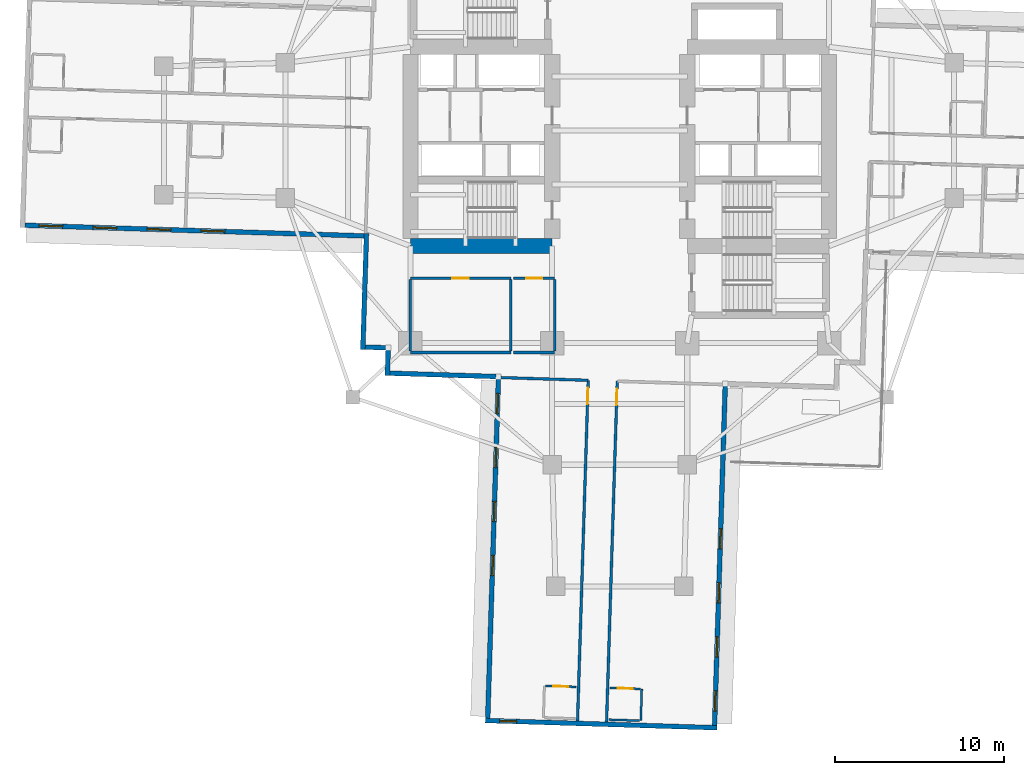
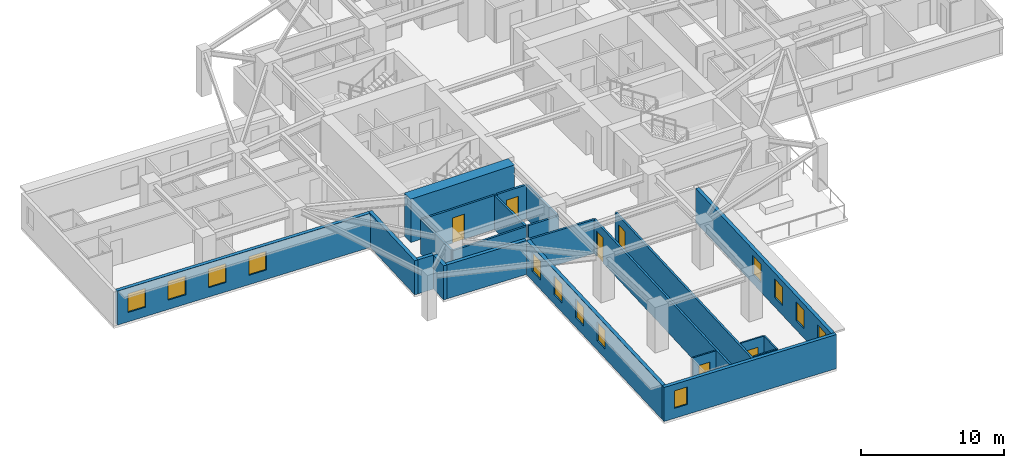
# One storey, part 3 of 13: 23 walls, 13 windows, 6 doors, 19 openings.
"""IFC4 building model written with IfcOpenShell, lengths in metres."""

from ifc_helpers import new_model, si_unit, direction, frame, frame_2d, origin, place, context, subcontext, project, spatial, rectangle, extrude, material, layer, layer_set, type_object, element, fill, save


model = new_model("IFC4")

# Units and contexts
model_context = context("Model", 3, precision=1e-05, world=origin(), true_north=direction((0.0, 1.0)))
body_context = subcontext(model_context, "Body", "Model", "MODEL_VIEW")
ifc_project = project(units=[si_unit("LENGTHUNIT", "METRE"), si_unit("AREAUNIT", "SQUARE_METRE"), si_unit("VOLUMEUNIT", "CUBIC_METRE"), si_unit("PLANEANGLEUNIT", "RADIAN"), si_unit("MASSUNIT", "GRAM", prefix="KILO")], contexts=[model_context])

# Site, building, storey
site_placement = place(None, origin())
site = spatial("IfcSite", under=ifc_project, at=site_placement, CompositionType="ELEMENT")
building_placement = place(site_placement, origin())
building = spatial("IfcBuilding", under=site, at=building_placement, Name="Qingluan Cross Belvedere", CompositionType="ELEMENT")
storey_placement = place(building_placement, frame((0.0, 0.0, 71.699951171875)))
storey = spatial("IfcBuildingStorey", under=building, at=storey_placement, Name="L18", CompositionType="ELEMENT", Elevation=71.699951171875)

# Walls
ifc_material_1 = material(Name="Concrete C70", Category="concrete")
ifc_layer_1 = layer(ifc_material_1, 0.89990234375, Name="CoreShearWall_900")
ifc_layer_set_1 = layer_set([ifc_layer_1], Name="Concrete C70")
wall_type_1 = type_object("IfcWallType", Name="CoreShearWall_900", PredefinedType="SHEAR", material=ifc_layer_set_1)
wall_1_placement = place(storey_placement, frame((-12.39990234375, -6.85009765625, 0.0), z_axis=(0.0, 0.0, 1.0), x_axis=(1.0, 0.0, 0.0)))
element("IfcWall", 1, at=wall_1_placement, inside=storey, type_object=wall_type_1, Name="Split core W shear wall L18-S", PredefinedType="SHEAR", context=body_context, shape_type="SweptSolid", body=[
    extrude(rectangle(XDim=8.39990234375, YDim=0.89990234375, at=frame_2d((4.199951171875, 0.0))), origin(), (0.0, 0.0, 1.0), 3.699951171875),
])
ifc_material_2 = material(Name="Gypsum plasterboard on steel stud acoustic partition", Category="steel")
ifc_layer_2 = layer(ifc_material_2, 0.159912109375, Name="CorridorPartition_160")
ifc_layer_set_2 = layer_set([ifc_layer_2], Name="Gypsum plasterboard on steel stud acoustic partition")
wall_type_2 = type_object("IfcWallType", Name="CorridorPartition_160", PredefinedType="PARTITIONING", material=ifc_layer_set_2)
wall_2_placement = place(storey_placement, frame((-12.39990234375, -13.14990234375, 0.0), z_axis=(0.0, 0.0, 1.0), x_axis=(1.0, 0.0, 0.0)))
element("IfcWall", 2, at=wall_2_placement, inside=storey, type_object=wall_type_2, Name="Partition L18:q_sw1:S", PredefinedType="PARTITIONING", context=body_context, shape_type="SweptSolid", body=[
    extrude(rectangle(XDim=5.949951171875, YDim=0.159912109375, at=frame_2d((2.97509765625, 0.0))), origin(), (0.0, 0.0, 1.0), 2.900146484375),
])

# Wall, opening, door
wall_3_placement = place(storey_placement, frame((-12.39990234375, -8.75, 0.0), z_axis=(0.0, 0.0, 1.0), x_axis=(1.0, 0.0, 0.0)))
wall_3 = element("IfcWall", 3, at=wall_3_placement, inside=storey, type_object=wall_type_2, Name="Partition L18:q_sw1:N", PredefinedType="PARTITIONING", context=body_context, shape_type="SweptSolid", body=[
    extrude(rectangle(XDim=5.949951171875, YDim=0.159912109375, at=frame_2d((2.97509765625, 0.0))), origin(), (0.0, 0.0, 1.0), 2.900146484375),
])
opening_1_placement = place(wall_3_placement, frame((2.4951171875, 0.0, 0.0)))
opening_1 = element("IfcOpeningElement", 4, at=opening_1_placement, cuts=wall_3, Name="Opening GD-10", PredefinedType="OPENING", context=body_context, shape_type="SweptSolid", body=[
    extrude(rectangle(XDim=0.9599609375, YDim=2.14990234375, at=frame_2d((0.47998046875, 1.074951171875))), frame((0.0, 0.08984375, 0.0), z_axis=(0.0, -1.0, 0.0), x_axis=(1.0, 0.0, 0.0)), (0.0, 0.0, 1.0), 0.179931640625),
])
ifc_material_3 = material(Name="Timber oak fire-rated acoustic guestroom door", Category="wood")
door_type_1 = type_object("IfcDoorType", Name="GuestEntryDoor_FD60", OperationType="NOTDEFINED", PredefinedType="DOOR", material=ifc_material_3)
door_1_placement = place(opening_1_placement, origin())
door_1 = element("IfcDoor", 5, at=door_1_placement, inside=storey, type_object=door_type_1, Name="Library quiet salon L18 door", OperationType="SINGLE_SWING_LEFT", OverallHeight=2.14990234375, OverallWidth=0.9599609375, PredefinedType="DOOR", context=body_context, shape_type="SweptSolid", body=[
    extrude(rectangle(XDim=0.9599609375, YDim=2.14990234375, at=frame_2d((0.47998046875, 1.074951171875))), frame((0.0, 0.02490234375, 0.0), z_axis=(0.0, -1.0, 0.0), x_axis=(1.0, 0.0, 0.0)), (0.0, 0.0, 1.0), 0.050048828125),
])
fill(opening_1, door_1)

# Walls
for number, where, z_axis, x_axis, name in (
    (6, (-12.39990234375, -13.06494140625, 0.0), (0.0, 0.0, 1.0), (0.0, 1.0, 0.0), "Partition L18:q_sw1:W"),
    (7, (-6.449951171875, -13.06494140625, 0.0), (0.0, 0.0, 1.0), (0.0, 1.0, 0.0), "Partition L18:q_sw1:E"),
):
    element("IfcWall", number, at=place(storey_placement, frame(where, z_axis=z_axis, x_axis=x_axis)), inside=storey, type_object=wall_type_2, Name=name, PredefinedType="PARTITIONING", context=body_context, shape_type="SweptSolid", body=[
        extrude(rectangle(XDim=4.22998046875, YDim=0.159912109375, at=frame_2d((2.114990234375, 0.0))), origin(), (0.0, 0.0, 1.0), 2.900146484375),
    ])
wall_4_placement = place(storey_placement, frame((-6.2900390625, -13.14990234375, 0.0), z_axis=(0.0, 0.0, 1.0), x_axis=(1.0, 0.0, 0.0)))
element("IfcWall", 8, at=wall_4_placement, inside=storey, type_object=wall_type_2, Name="Partition L18:q_sw2:S", PredefinedType="PARTITIONING", context=body_context, shape_type="SweptSolid", body=[
    extrude(rectangle(XDim=2.43994140625, YDim=0.159912109375, at=frame_2d((1.219970703125, 0.0))), origin(), (0.0, 0.0, 1.0), 2.900146484375),
])

# Wall, opening, door
wall_5_placement = place(storey_placement, frame((-6.2900390625, -8.75, 0.0), z_axis=(0.0, 0.0, 1.0), x_axis=(1.0, 0.0, 0.0)))
wall_5 = element("IfcWall", 9, at=wall_5_placement, inside=storey, type_object=wall_type_2, Name="Partition L18:q_sw2:N", PredefinedType="PARTITIONING", context=body_context, shape_type="SweptSolid", body=[
    extrude(rectangle(XDim=2.43994140625, YDim=0.159912109375, at=frame_2d((1.219970703125, 0.0))), origin(), (0.0, 0.0, 1.0), 2.900146484375),
])
opening_2_placement = place(wall_5_placement, frame((0.739990234375, 0.0, 0.0)))
opening_2 = element("IfcOpeningElement", 10, at=opening_2_placement, cuts=wall_5, Name="Opening GD-10", PredefinedType="OPENING", context=body_context, shape_type="SweptSolid", body=[
    extrude(rectangle(XDim=0.9599609375, YDim=2.14990234375, at=frame_2d((0.47998046875, 1.074951171875))), frame((0.0, 0.08984375, 0.0), z_axis=(0.0, -1.0, 0.0), x_axis=(1.0, 0.0, 0.0)), (0.0, 0.0, 1.0), 0.179931640625),
])
door_2_placement = place(opening_2_placement, origin())
door_2 = element("IfcDoor", 11, at=door_2_placement, inside=storey, type_object=door_type_1, Name="Southwest reading room L18 door", OperationType="SINGLE_SWING_RIGHT", OverallHeight=2.14990234375, OverallWidth=0.9599609375, PredefinedType="DOOR", context=body_context, shape_type="SweptSolid", body=[
    extrude(rectangle(XDim=0.9599609375, YDim=2.14990234375, at=frame_2d((0.47998046875, 1.074951171875))), frame((0.0, 0.02490234375, 0.0), z_axis=(0.0, -1.0, 0.0), x_axis=(1.0, 0.0, 0.0)), (0.0, 0.0, 1.0), 0.050048828125),
])
fill(opening_2, door_2)

# Wall
wall_6_placement = place(storey_placement, frame((-3.85009765625, -13.06494140625, 0.0), z_axis=(0.0, 0.0, 1.0), x_axis=(0.0, 1.0, 0.0)))
element("IfcWall", 12, at=wall_6_placement, inside=storey, type_object=wall_type_2, Name="Partition L18:q_sw2:E", PredefinedType="PARTITIONING", context=body_context, shape_type="SweptSolid", body=[
    extrude(rectangle(XDim=4.22998046875, YDim=0.159912109375, at=frame_2d((2.114990234375, 0.0))), origin(), (0.0, 0.0, 1.0), 2.900146484375),
])

# Wall, opening, door
wall_7_placement = place(storey_placement, frame((-0.146484375, -14.852783203125, 0.0), z_axis=(0.0, 0.0, 1.0), x_axis=(-0.031415650687, -0.999506406629, 0.0)))
wall_7 = element("IfcWall", 13, at=wall_7_placement, inside=storey, type_object=wall_type_2, Name="Partition L18:S:c0", PredefinedType="PARTITIONING", context=body_context, shape_type="SweptSolid", body=[
    extrude(rectangle(XDim=20.18212890625, YDim=0.159912109375, at=frame_2d((10.091064453125, 0.0))), origin(), (0.0, 0.0, 1.0), 2.900146484375),
])
opening_3_placement = place(wall_7_placement, frame((0.449951171875, 0.0, 0.0)))
opening_3 = element("IfcOpeningElement", 14, at=opening_3_placement, cuts=wall_7, Name="Opening GD-10", PredefinedType="OPENING", context=body_context, shape_type="SweptSolid", body=[
    extrude(rectangle(XDim=0.9599609375, YDim=2.14990234375, at=frame_2d((0.47998046875, 1.074951171875))), frame((0.0, 0.08984375, 0.0), z_axis=(0.0, -1.0, 0.0), x_axis=(1.0, 0.0, 0.0)), (0.0, 0.0, 1.0), 0.179931640625),
])
door_3_placement = place(opening_3_placement, origin())
door_3 = element("IfcDoor", 15, at=door_3_placement, inside=storey, type_object=door_type_1, Name="Guest entry fire door 1815", OperationType="SINGLE_SWING_LEFT", OverallHeight=2.14990234375, OverallWidth=0.9599609375, PredefinedType="DOOR", context=body_context, shape_type="SweptSolid", body=[
    extrude(rectangle(XDim=0.9599609375, YDim=2.14990234375, at=frame_2d((0.47998046875, 1.074951171875))), frame((0.0, 0.02490234375, 0.0), z_axis=(0.0, -1.0, 0.0), x_axis=(1.0, 0.0, 0.0)), (0.0, 0.0, 1.0), 0.050048828125),
])
fill(opening_3, door_3)

wall_8_placement = place(storey_placement, frame((-1.86572265625, -14.798583984375, 0.0), z_axis=(0.0, 0.0, 1.0), x_axis=(-0.031415650687, -0.999506406629, 0.0)))
wall_8 = element("IfcWall", 16, at=wall_8_placement, inside=storey, type_object=wall_type_2, Name="Partition L18:S:c1", PredefinedType="PARTITIONING", context=body_context, shape_type="SweptSolid", body=[
    extrude(rectangle(XDim=20.18212890625, YDim=0.159912109375, at=frame_2d((10.091064453125, 0.0))), origin(), (0.0, 0.0, 1.0), 2.900146484375),
])
opening_4_placement = place(wall_8_placement, frame((0.449951171875, 0.0, 0.0)))
opening_4 = element("IfcOpeningElement", 17, at=opening_4_placement, cuts=wall_8, Name="Opening GD-10", PredefinedType="OPENING", context=body_context, shape_type="SweptSolid", body=[
    extrude(rectangle(XDim=0.9599609375, YDim=2.14990234375, at=frame_2d((0.47998046875, 1.074951171875))), frame((0.0, 0.08984375, 0.0), z_axis=(0.0, -1.0, 0.0), x_axis=(1.0, 0.0, 0.0)), (0.0, 0.0, 1.0), 0.179931640625),
])
door_4_placement = place(opening_4_placement, origin())
door_4 = element("IfcDoor", 18, at=door_4_placement, inside=storey, type_object=door_type_1, Name="Guest entry fire door 1816", OperationType="SINGLE_SWING_LEFT", OverallHeight=2.14990234375, OverallWidth=0.9599609375, PredefinedType="DOOR", context=body_context, shape_type="SweptSolid", body=[
    extrude(rectangle(XDim=0.9599609375, YDim=2.14990234375, at=frame_2d((0.47998046875, 1.074951171875))), frame((0.0, 0.02490234375, 0.0), z_axis=(0.0, -1.0, 0.0), x_axis=(1.0, 0.0, 0.0)), (0.0, 0.0, 1.0), 0.050048828125),
])
fill(opening_4, door_4)

# Wall
wall_9_placement = place(storey_placement, frame((-1.86572265625, -14.798583984375, 0.0), z_axis=(0.0, 0.0, 1.0), x_axis=(-0.99950722876, 0.031389483217, 0.0)))
element("IfcWall", 19, at=wall_9_placement, inside=storey, type_object=wall_type_2, Name="Partition L18:S:s1", PredefinedType="PARTITIONING", context=body_context, shape_type="SweptSolid", body=[
    extrude(rectangle(XDim=5.320068359375, YDim=0.159912109375, at=frame_2d((2.66015625, 0.0))), origin(), (0.0, 0.0, 1.0), 2.900146484375),
])

# Wall, opening, door
ifc_material_4 = material(Name="Moisture-resistant gypsum board lining")
ifc_layer_3 = layer(ifc_material_4, 0.1201171875, Name="EnsuiteWetPartition_120")
ifc_layer_set_3 = layer_set([ifc_layer_3], Name="Moisture-resistant gypsum board lining")
wall_type_3 = type_object("IfcWallType", Name="EnsuiteWetPartition_120", PredefinedType="PARTITIONING", material=ifc_layer_set_3)
wall_10_placement = place(storey_placement, frame((-0.577392578125, -33.018310546875, 0.0), z_axis=(0.0, 0.0, 1.0), x_axis=(0.999511421504, -0.031255692016, 0.0)))
wall_10 = element("IfcWall", 20, at=wall_10_placement, inside=storey, type_object=wall_type_3, Name="Partition L18:S:bs0_0", PredefinedType="PARTITIONING", context=body_context, shape_type="SweptSolid", body=[
    extrude(rectangle(XDim=1.820068359375, YDim=0.1201171875, at=frame_2d((0.91015625, 0.0))), origin(), (0.0, 0.0, 1.0), 2.900146484375),
])
opening_5_placement = place(wall_10_placement, frame((0.469970703125, 0.0, 0.0)))
opening_5 = element("IfcOpeningElement", 21, at=opening_5_placement, cuts=wall_10, Name="Opening BD-09", PredefinedType="OPENING", context=body_context, shape_type="SweptSolid", body=[
    extrude(rectangle(XDim=0.8798828125, YDim=2.10009765625, at=frame_2d((0.43994140625, 1.050048828125))), frame((0.0, 0.070068359375, 0.0), z_axis=(0.0, -1.0, 0.0), x_axis=(1.0, 0.0, 0.0)), (0.0, 0.0, 1.0), 0.14013671875),
])
ifc_material_5 = material(Name="Moisture-sealed timber en-suite door", Category="wood")
door_type_2 = type_object("IfcDoorType", Name="BathroomDoor_880", OperationType="NOTDEFINED", PredefinedType="DOOR", material=ifc_material_5)
door_5_placement = place(opening_5_placement, origin())
door_5 = element("IfcDoor", 22, at=door_5_placement, inside=storey, type_object=door_type_2, Name="Bathroom door 1815", OperationType="SINGLE_SWING_RIGHT", OverallHeight=2.10009765625, OverallWidth=0.8798828125, PredefinedType="DOOR", context=body_context, shape_type="SweptSolid", body=[
    extrude(rectangle(XDim=0.8798828125, YDim=2.10009765625, at=frame_2d((0.43994140625, 1.050048828125))), frame((0.0, 0.02490234375, 0.0), z_axis=(0.0, -1.0, 0.0), x_axis=(1.0, 0.0, 0.0)), (0.0, 0.0, 1.0), 0.050048828125),
])
fill(opening_5, door_5)

# Walls
wall_11_placement = place(storey_placement, frame((-0.636474609375, -34.897216796875, 0.0), z_axis=(0.0, 0.0, 1.0), x_axis=(0.999507221803, -0.031389704724, 0.0)))
element("IfcWall", 23, at=wall_11_placement, inside=storey, type_object=wall_type_3, Name="Partition L18:S:bw0_0", PredefinedType="PARTITIONING", context=body_context, shape_type="SweptSolid", body=[
    extrude(rectangle(XDim=1.820068359375, YDim=0.1201171875, at=frame_2d((0.91015625, 0.0))), origin(), (0.0, 0.0, 1.0), 2.900146484375),
])
wall_12_placement = place(storey_placement, frame((1.306640625, -33.077392578125, 0.0), z_axis=(0.0, 0.0, 1.0), x_axis=(-0.031429371883, -0.999505975261, 0.0)))
element("IfcWall", 24, at=wall_12_placement, inside=storey, type_object=wall_type_3, Name="Partition L18:S:bn0_0", PredefinedType="PARTITIONING", context=body_context, shape_type="SweptSolid", body=[
    extrude(rectangle(XDim=1.8798828125, YDim=0.1201171875, at=frame_2d((0.93994140625, 0.0))), origin(), (0.0, 0.0, 1.0), 2.900146484375),
])

# Wall, opening, door
wall_13_placement = place(storey_placement, frame((-4.3955078125, -32.898193359375, 0.0), z_axis=(0.0, 0.0, 1.0), x_axis=(0.999507221803, -0.031389704724, 0.0)))
wall_13 = element("IfcWall", 25, at=wall_13_placement, inside=storey, type_object=wall_type_3, Name="Partition L18:S:bs1_0", PredefinedType="PARTITIONING", context=body_context, shape_type="SweptSolid", body=[
    extrude(rectangle(XDim=1.820068359375, YDim=0.1201171875, at=frame_2d((0.91015625, 0.0))), origin(), (0.0, 0.0, 1.0), 2.900146484375),
])
opening_6_placement = place(wall_13_placement, frame((0.469970703125, 0.0, 0.0)))
opening_6 = element("IfcOpeningElement", 26, at=opening_6_placement, cuts=wall_13, Name="Opening BD-09", PredefinedType="OPENING", context=body_context, shape_type="SweptSolid", body=[
    extrude(rectangle(XDim=0.8798828125, YDim=2.10009765625, at=frame_2d((0.43994140625, 1.050048828125))), frame((0.0, 0.070068359375, 0.0), z_axis=(0.0, -1.0, 0.0), x_axis=(1.0, 0.0, 0.0)), (0.0, 0.0, 1.0), 0.14013671875),
])
door_6_placement = place(opening_6_placement, origin())
door_6 = element("IfcDoor", 27, at=door_6_placement, inside=storey, type_object=door_type_2, Name="Bathroom door 1816", OperationType="SINGLE_SWING_RIGHT", OverallHeight=2.10009765625, OverallWidth=0.8798828125, PredefinedType="DOOR", context=body_context, shape_type="SweptSolid", body=[
    extrude(rectangle(XDim=0.8798828125, YDim=2.10009765625, at=frame_2d((0.43994140625, 1.050048828125))), frame((0.0, 0.02490234375, 0.0), z_axis=(0.0, -1.0, 0.0), x_axis=(1.0, 0.0, 0.0)), (0.0, 0.0, 1.0), 0.050048828125),
])
fill(opening_6, door_6)

# Wall, openings, windows
ifc_material_6 = material(Name="Precast concrete C45", Category="concrete")
ifc_layer_4 = layer(ifc_material_6, 0.280029296875, Name="PrecastFacadeWall_280")
ifc_layer_set_4 = layer_set([ifc_layer_4], Name="Precast concrete C45")
wall_type_4 = type_object("IfcWallType", Name="PrecastFacadeWall_280", PredefinedType="STANDARD", material=ifc_layer_set_4)
wall_14_placement = place(storey_placement, frame((-35.23388671875, -5.6162109375, 0.0), z_axis=(0.0, 0.0, 1.0), x_axis=(0.999506955354, -0.031398187845, 0.0)))
wall_14 = element("IfcWall", 28, at=wall_14_placement, inside=storey, type_object=wall_type_4, Name="Facade wall L18-WB", PredefinedType="STANDARD", context=body_context, shape_type="SweptSolid", body=[
    extrude(rectangle(XDim=20.10009765625, YDim=0.280029296875, at=frame_2d((10.050048828125, 0.0))), origin(), (0.0, 0.0, 1.0), 2.91015625),
])
opening_7_placement = place(wall_14_placement, frame((0.85009765625, 0.0, 0.800048828125)))
opening_7 = element("IfcOpeningElement", 29, at=opening_7_placement, cuts=wall_14, Name="Opening W-01", PredefinedType="OPENING", context=body_context, shape_type="SweptSolid", body=[
    extrude(rectangle(XDim=1.39990234375, YDim=1.60009765625, at=frame_2d((0.699951171875, 0.800048828125))), frame((0.0, 0.14990234375, 0.0), z_axis=(0.0, -1.0, 0.0), x_axis=(1.0, 0.0, 0.0)), (0.0, 0.0, 1.0), 0.300048828125),
])
opening_8_placement = place(wall_14_placement, frame((4.050048828125, 0.0, 0.800048828125)))
opening_8 = element("IfcOpeningElement", 30, at=opening_8_placement, cuts=wall_14, Name="Opening W-01", PredefinedType="OPENING", context=body_context, shape_type="SweptSolid", body=[
    extrude(rectangle(XDim=1.39990234375, YDim=1.60009765625, at=frame_2d((0.699951171875, 0.800048828125))), frame((0.0, 0.14990234375, 0.0), z_axis=(0.0, -1.0, 0.0), x_axis=(1.0, 0.0, 0.0)), (0.0, 0.0, 1.0), 0.300048828125),
])
opening_9_placement = place(wall_14_placement, frame((7.25, 0.0, 0.800048828125)))
opening_9 = element("IfcOpeningElement", 31, at=opening_9_placement, cuts=wall_14, Name="Opening W-01", PredefinedType="OPENING", context=body_context, shape_type="SweptSolid", body=[
    extrude(rectangle(XDim=1.39990234375, YDim=1.60009765625, at=frame_2d((0.699951171875, 0.800048828125))), frame((0.0, 0.14990234375, 0.0), z_axis=(0.0, -1.0, 0.0), x_axis=(1.0, 0.0, 0.0)), (0.0, 0.0, 1.0), 0.300048828125),
])
opening_10_placement = place(wall_14_placement, frame((10.449951171875, 0.0, 0.800048828125)))
opening_10 = element("IfcOpeningElement", 32, at=opening_10_placement, cuts=wall_14, Name="Opening W-01", PredefinedType="OPENING", context=body_context, shape_type="SweptSolid", body=[
    extrude(rectangle(XDim=1.39990234375, YDim=1.60009765625, at=frame_2d((0.699951171875, 0.800048828125))), frame((0.0, 0.14990234375, 0.0), z_axis=(0.0, -1.0, 0.0), x_axis=(1.0, 0.0, 0.0)), (0.0, 0.0, 1.0), 0.300048828125),
])
ifc_material_7 = material(Name="Thermally broken triple Low-E glass in aluminium frame", Category="aluminium")
window_type_1 = type_object("IfcWindowType", Name="TriRibbonWin_1400x1600", PartitioningType="SINGLE_PANEL", PredefinedType="WINDOW", material=ifc_material_7)
window_1_placement = place(opening_7_placement, origin())
window_1 = element("IfcWindow", 33, at=window_1_placement, inside=storey, type_object=window_type_1, Name="Ribbon window L18-WB-1", OverallHeight=1.60009765625, OverallWidth=1.39990234375, PartitioningType="SINGLE_PANEL", PredefinedType="WINDOW", context=body_context, shape_type="SweptSolid", body=[
    extrude(rectangle(XDim=1.39990234375, YDim=1.60009765625, at=frame_2d((0.699951171875, 0.800048828125))), frame((0.0, 0.030029296875, 0.0), z_axis=(0.0, -1.0, 0.0), x_axis=(1.0, 0.0, 0.0)), (0.0, 0.0, 1.0), 0.06005859375),
])
fill(opening_7, window_1)
window_2_placement = place(opening_8_placement, origin())
window_2 = element("IfcWindow", 34, at=window_2_placement, inside=storey, type_object=window_type_1, Name="Ribbon window L18-WB-2", OverallHeight=1.60009765625, OverallWidth=1.39990234375, PartitioningType="SINGLE_PANEL", PredefinedType="WINDOW", context=body_context, shape_type="SweptSolid", body=[
    extrude(rectangle(XDim=1.39990234375, YDim=1.60009765625, at=frame_2d((0.699951171875, 0.800048828125))), frame((0.0, 0.030029296875, 0.0), z_axis=(0.0, -1.0, 0.0), x_axis=(1.0, 0.0, 0.0)), (0.0, 0.0, 1.0), 0.06005859375),
])
fill(opening_8, window_2)
window_3_placement = place(opening_9_placement, origin())
window_3 = element("IfcWindow", 35, at=window_3_placement, inside=storey, type_object=window_type_1, Name="Ribbon window L18-WB-3", OverallHeight=1.60009765625, OverallWidth=1.39990234375, PartitioningType="SINGLE_PANEL", PredefinedType="WINDOW", context=body_context, shape_type="SweptSolid", body=[
    extrude(rectangle(XDim=1.39990234375, YDim=1.60009765625, at=frame_2d((0.699951171875, 0.800048828125))), frame((0.0, 0.030029296875, 0.0), z_axis=(0.0, -1.0, 0.0), x_axis=(1.0, 0.0, 0.0)), (0.0, 0.0, 1.0), 0.06005859375),
])
fill(opening_9, window_3)
window_4_placement = place(opening_10_placement, origin())
window_4 = element("IfcWindow", 36, at=window_4_placement, inside=storey, type_object=window_type_1, Name="Ribbon window L18-WB-4", OverallHeight=1.60009765625, OverallWidth=1.39990234375, PartitioningType="SINGLE_PANEL", PredefinedType="WINDOW", context=body_context, shape_type="SweptSolid", body=[
    extrude(rectangle(XDim=1.39990234375, YDim=1.60009765625, at=frame_2d((0.699951171875, 0.800048828125))), frame((0.0, 0.030029296875, 0.0), z_axis=(0.0, -1.0, 0.0), x_axis=(1.0, 0.0, 0.0)), (0.0, 0.0, 1.0), 0.06005859375),
])
fill(opening_10, window_4)

wall_15_placement = place(storey_placement, frame((-7.18603515625, -14.721435546875, 0.0), z_axis=(0.0, 0.0, 1.0), x_axis=(-0.031410322165, -0.999506574096, 0.0)))
wall_15 = element("IfcWall", 37, at=wall_15_placement, inside=storey, type_object=wall_type_4, Name="Facade wall L18-SA", PredefinedType="STANDARD", context=body_context, shape_type="SweptSolid", body=[
    extrude(rectangle(XDim=20.10009765625, YDim=0.280029296875, at=frame_2d((10.050048828125, 0.0))), origin(), (0.0, 0.0, 1.0), 2.91015625),
])
opening_11_placement = place(wall_15_placement, frame((0.85009765625, 0.0, 0.800048828125)))
opening_11 = element("IfcOpeningElement", 38, at=opening_11_placement, cuts=wall_15, Name="Opening W-02", PredefinedType="OPENING", context=body_context, shape_type="SweptSolid", body=[
    extrude(rectangle(XDim=1.199951171875, YDim=1.60009765625, at=frame_2d((0.60009765625, 0.800048828125))), frame((0.0, 0.14990234375, 0.0), z_axis=(0.0, -1.0, 0.0), x_axis=(1.0, 0.0, 0.0)), (0.0, 0.0, 1.0), 0.300048828125),
])
opening_12_placement = place(wall_15_placement, frame((4.050048828125, 0.0, 0.800048828125)))
opening_12 = element("IfcOpeningElement", 39, at=opening_12_placement, cuts=wall_15, Name="Opening W-02", PredefinedType="OPENING", context=body_context, shape_type="SweptSolid", body=[
    extrude(rectangle(XDim=1.199951171875, YDim=1.60009765625, at=frame_2d((0.60009765625, 0.800048828125))), frame((0.0, 0.14990234375, 0.0), z_axis=(0.0, -1.0, 0.0), x_axis=(1.0, 0.0, 0.0)), (0.0, 0.0, 1.0), 0.300048828125),
])
opening_13_placement = place(wall_15_placement, frame((7.25, 0.0, 0.800048828125)))
opening_13 = element("IfcOpeningElement", 40, at=opening_13_placement, cuts=wall_15, Name="Opening W-02", PredefinedType="OPENING", context=body_context, shape_type="SweptSolid", body=[
    extrude(rectangle(XDim=1.199951171875, YDim=1.60009765625, at=frame_2d((0.60009765625, 0.800048828125))), frame((0.0, 0.14990234375, 0.0), z_axis=(0.0, -1.0, 0.0), x_axis=(1.0, 0.0, 0.0)), (0.0, 0.0, 1.0), 0.300048828125),
])
opening_14_placement = place(wall_15_placement, frame((10.449951171875, 0.0, 0.800048828125)))
opening_14 = element("IfcOpeningElement", 41, at=opening_14_placement, cuts=wall_15, Name="Opening W-02", PredefinedType="OPENING", context=body_context, shape_type="SweptSolid", body=[
    extrude(rectangle(XDim=1.199951171875, YDim=1.60009765625, at=frame_2d((0.60009765625, 0.800048828125))), frame((0.0, 0.14990234375, 0.0), z_axis=(0.0, -1.0, 0.0), x_axis=(1.0, 0.0, 0.0)), (0.0, 0.0, 1.0), 0.300048828125),
])
ifc_material_8 = material(Name="Thermally broken triple Low-E glass in aluminium frame", Category="aluminium")
window_type_2 = type_object("IfcWindowType", Name="TriRibbonWin_1200x1600", PartitioningType="SINGLE_PANEL", PredefinedType="WINDOW", material=ifc_material_8)
window_5_placement = place(opening_11_placement, origin())
window_5 = element("IfcWindow", 42, at=window_5_placement, inside=storey, type_object=window_type_2, Name="Ribbon window L18-SA-1", OverallHeight=1.60009765625, OverallWidth=1.199951171875, PartitioningType="SINGLE_PANEL", PredefinedType="WINDOW", context=body_context, shape_type="SweptSolid", body=[
    extrude(rectangle(XDim=1.199951171875, YDim=1.60009765625, at=frame_2d((0.60009765625, 0.800048828125))), frame((0.0, 0.030029296875, 0.0), z_axis=(0.0, -1.0, 0.0), x_axis=(1.0, 0.0, 0.0)), (0.0, 0.0, 1.0), 0.06005859375),
])
fill(opening_11, window_5)
window_6_placement = place(opening_12_placement, origin())
window_6 = element("IfcWindow", 43, at=window_6_placement, inside=storey, type_object=window_type_2, Name="Ribbon window L18-SA-2", OverallHeight=1.60009765625, OverallWidth=1.199951171875, PartitioningType="SINGLE_PANEL", PredefinedType="WINDOW", context=body_context, shape_type="SweptSolid", body=[
    extrude(rectangle(XDim=1.199951171875, YDim=1.60009765625, at=frame_2d((0.60009765625, 0.800048828125))), frame((0.0, 0.030029296875, 0.0), z_axis=(0.0, -1.0, 0.0), x_axis=(1.0, 0.0, 0.0)), (0.0, 0.0, 1.0), 0.06005859375),
])
fill(opening_12, window_6)
window_7_placement = place(opening_13_placement, origin())
window_7 = element("IfcWindow", 44, at=window_7_placement, inside=storey, type_object=window_type_2, Name="Ribbon window L18-SA-3", OverallHeight=1.60009765625, OverallWidth=1.199951171875, PartitioningType="SINGLE_PANEL", PredefinedType="WINDOW", context=body_context, shape_type="SweptSolid", body=[
    extrude(rectangle(XDim=1.199951171875, YDim=1.60009765625, at=frame_2d((0.60009765625, 0.800048828125))), frame((0.0, 0.030029296875, 0.0), z_axis=(0.0, -1.0, 0.0), x_axis=(1.0, 0.0, 0.0)), (0.0, 0.0, 1.0), 0.06005859375),
])
fill(opening_13, window_7)
window_8_placement = place(opening_14_placement, origin())
window_8 = element("IfcWindow", 45, at=window_8_placement, inside=storey, type_object=window_type_2, Name="Ribbon window L18-SA-4", OverallHeight=1.60009765625, OverallWidth=1.199951171875, PartitioningType="SINGLE_PANEL", PredefinedType="WINDOW", context=body_context, shape_type="SweptSolid", body=[
    extrude(rectangle(XDim=1.199951171875, YDim=1.60009765625, at=frame_2d((0.60009765625, 0.800048828125))), frame((0.0, 0.030029296875, 0.0), z_axis=(0.0, -1.0, 0.0), x_axis=(1.0, 0.0, 0.0)), (0.0, 0.0, 1.0), 0.06005859375),
])
fill(opening_14, window_8)

wall_16_placement = place(storey_placement, frame((5.6162109375, -35.23388671875, 0.0), z_axis=(0.0, 0.0, 1.0), x_axis=(0.031398187845, 0.999506955354, 0.0)))
wall_16 = element("IfcWall", 46, at=wall_16_placement, inside=storey, type_object=wall_type_4, Name="Facade wall L18-SB", PredefinedType="STANDARD", context=body_context, shape_type="SweptSolid", body=[
    extrude(rectangle(XDim=20.10009765625, YDim=0.280029296875, at=frame_2d((10.050048828125, 0.0))), origin(), (0.0, 0.0, 1.0), 2.91015625),
])
opening_15_placement = place(wall_16_placement, frame((0.85009765625, 0.0, 0.800048828125)))
opening_15 = element("IfcOpeningElement", 47, at=opening_15_placement, cuts=wall_16, Name="Opening W-02", PredefinedType="OPENING", context=body_context, shape_type="SweptSolid", body=[
    extrude(rectangle(XDim=1.199951171875, YDim=1.60009765625, at=frame_2d((0.60009765625, 0.800048828125))), frame((0.0, 0.14990234375, 0.0), z_axis=(0.0, -1.0, 0.0), x_axis=(1.0, 0.0, 0.0)), (0.0, 0.0, 1.0), 0.300048828125),
])
opening_16_placement = place(wall_16_placement, frame((4.050048828125, 0.0, 0.800048828125)))
opening_16 = element("IfcOpeningElement", 48, at=opening_16_placement, cuts=wall_16, Name="Opening W-02", PredefinedType="OPENING", context=body_context, shape_type="SweptSolid", body=[
    extrude(rectangle(XDim=1.199951171875, YDim=1.60009765625, at=frame_2d((0.60009765625, 0.800048828125))), frame((0.0, 0.14990234375, 0.0), z_axis=(0.0, -1.0, 0.0), x_axis=(1.0, 0.0, 0.0)), (0.0, 0.0, 1.0), 0.300048828125),
])
opening_17_placement = place(wall_16_placement, frame((7.25, 0.0, 0.800048828125)))
opening_17 = element("IfcOpeningElement", 49, at=opening_17_placement, cuts=wall_16, Name="Opening W-02", PredefinedType="OPENING", context=body_context, shape_type="SweptSolid", body=[
    extrude(rectangle(XDim=1.199951171875, YDim=1.60009765625, at=frame_2d((0.60009765625, 0.800048828125))), frame((0.0, 0.14990234375, 0.0), z_axis=(0.0, -1.0, 0.0), x_axis=(1.0, 0.0, 0.0)), (0.0, 0.0, 1.0), 0.300048828125),
])
opening_18_placement = place(wall_16_placement, frame((10.449951171875, 0.0, 0.800048828125)))
opening_18 = element("IfcOpeningElement", 50, at=opening_18_placement, cuts=wall_16, Name="Opening W-02", PredefinedType="OPENING", context=body_context, shape_type="SweptSolid", body=[
    extrude(rectangle(XDim=1.199951171875, YDim=1.60009765625, at=frame_2d((0.60009765625, 0.800048828125))), frame((0.0, 0.14990234375, 0.0), z_axis=(0.0, -1.0, 0.0), x_axis=(1.0, 0.0, 0.0)), (0.0, 0.0, 1.0), 0.300048828125),
])
window_9_placement = place(opening_15_placement, origin())
window_9 = element("IfcWindow", 51, at=window_9_placement, inside=storey, type_object=window_type_2, Name="Ribbon window L18-SB-1", OverallHeight=1.60009765625, OverallWidth=1.199951171875, PartitioningType="SINGLE_PANEL", PredefinedType="WINDOW", context=body_context, shape_type="SweptSolid", body=[
    extrude(rectangle(XDim=1.199951171875, YDim=1.60009765625, at=frame_2d((0.60009765625, 0.800048828125))), frame((0.0, 0.030029296875, 0.0), z_axis=(0.0, -1.0, 0.0), x_axis=(1.0, 0.0, 0.0)), (0.0, 0.0, 1.0), 0.06005859375),
])
fill(opening_15, window_9)
window_10_placement = place(opening_16_placement, origin())
window_10 = element("IfcWindow", 52, at=window_10_placement, inside=storey, type_object=window_type_2, Name="Ribbon window L18-SB-2", OverallHeight=1.60009765625, OverallWidth=1.199951171875, PartitioningType="SINGLE_PANEL", PredefinedType="WINDOW", context=body_context, shape_type="SweptSolid", body=[
    extrude(rectangle(XDim=1.199951171875, YDim=1.60009765625, at=frame_2d((0.60009765625, 0.800048828125))), frame((0.0, 0.030029296875, 0.0), z_axis=(0.0, -1.0, 0.0), x_axis=(1.0, 0.0, 0.0)), (0.0, 0.0, 1.0), 0.06005859375),
])
fill(opening_16, window_10)
window_11_placement = place(opening_17_placement, origin())
window_11 = element("IfcWindow", 53, at=window_11_placement, inside=storey, type_object=window_type_2, Name="Ribbon window L18-SB-3", OverallHeight=1.60009765625, OverallWidth=1.199951171875, PartitioningType="SINGLE_PANEL", PredefinedType="WINDOW", context=body_context, shape_type="SweptSolid", body=[
    extrude(rectangle(XDim=1.199951171875, YDim=1.60009765625, at=frame_2d((0.60009765625, 0.800048828125))), frame((0.0, 0.030029296875, 0.0), z_axis=(0.0, -1.0, 0.0), x_axis=(1.0, 0.0, 0.0)), (0.0, 0.0, 1.0), 0.06005859375),
])
fill(opening_17, window_11)
window_12_placement = place(opening_18_placement, origin())
window_12 = element("IfcWindow", 54, at=window_12_placement, inside=storey, type_object=window_type_2, Name="Ribbon window L18-SB-4", OverallHeight=1.60009765625, OverallWidth=1.199951171875, PartitioningType="SINGLE_PANEL", PredefinedType="WINDOW", context=body_context, shape_type="SweptSolid", body=[
    extrude(rectangle(XDim=1.199951171875, YDim=1.60009765625, at=frame_2d((0.60009765625, 0.800048828125))), frame((0.0, 0.030029296875, 0.0), z_axis=(0.0, -1.0, 0.0), x_axis=(1.0, 0.0, 0.0)), (0.0, 0.0, 1.0), 0.06005859375),
])
fill(opening_18, window_12)

# Wall, opening, window
wall_17_placement = place(storey_placement, frame((-7.961669921875, -34.947265625, 0.0), z_axis=(0.0, 0.0, 1.0), x_axis=(0.999506679556, -0.031406966164, 0.0)))
wall_17 = element("IfcWall", 55, at=wall_17_placement, inside=storey, type_object=wall_type_4, Name="Arm tip precast facade wall L18-S", PredefinedType="STANDARD", context=body_context, shape_type="SweptSolid", body=[
    extrude(rectangle(XDim=13.72021484375, YDim=0.280029296875, at=frame_2d((6.860107421875, 0.0))), origin(), (0.0, 0.0, 1.0), 2.91015625),
])
opening_19_placement = place(wall_17_placement, frame((0.85009765625, 0.0, 0.85009765625)))
opening_19 = element("IfcOpeningElement", 56, at=opening_19_placement, cuts=wall_17, Name="Opening W-03", PredefinedType="OPENING", context=body_context, shape_type="SweptSolid", body=[
    extrude(rectangle(XDim=1.0, YDim=1.5, at=frame_2d((0.5, 0.75))), frame((0.0, 0.14990234375, 0.0), z_axis=(0.0, -1.0, 0.0), x_axis=(1.0, 0.0, 0.0)), (0.0, 0.0, 1.0), 0.300048828125),
])
ifc_material_9 = material(Name="Thermally broken triple Low-E glass in aluminium frame", Category="aluminium")
window_type_3 = type_object("IfcWindowType", Name="TriApexWin_1000x1500", PartitioningType="SINGLE_PANEL", PredefinedType="WINDOW", material=ifc_material_9)
window_13_placement = place(opening_19_placement, origin())
window_13 = element("IfcWindow", 57, at=window_13_placement, inside=storey, type_object=window_type_3, Name="Arm tip triangular window L18-S", OverallHeight=1.5, OverallWidth=1.0, PartitioningType="SINGLE_PANEL", PredefinedType="WINDOW", context=body_context, shape_type="SweptSolid", body=[
    extrude(rectangle(XDim=1.0, YDim=1.5, at=frame_2d((0.5, 0.75))), frame((0.0, 0.030029296875, 0.0), z_axis=(0.0, -1.0, 0.0), x_axis=(1.0, 0.0, 0.0)), (0.0, 0.0, 1.0), 0.06005859375),
])
fill(opening_19, window_13)

# Walls
wall_18_placement = place(storey_placement, frame((-14.99951171875, -6.11181640625, 0.0), z_axis=(0.0, 0.0, 1.0), x_axis=(-0.031389189386, -0.999507237988, 0.0)))
element("IfcWall", 58, at=wall_18_placement, inside=storey, type_object=wall_type_4, Name="Corner wall L18-SW1", PredefinedType="STANDARD", context=body_context, shape_type="SweptSolid", body=[
    extrude(rectangle(XDim=6.860107421875, YDim=0.280029296875, at=frame_2d((3.43017578125, 0.0))), origin(), (0.0, 0.0, 1.0), 2.91015625),
])
wall_19_placement = place(storey_placement, frame((-15.070556640625, -12.8330078125, 0.0), z_axis=(0.0, 0.0, 1.0), x_axis=(0.999506398264, -0.031415916822, 0.0)))
element("IfcWall", 59, at=wall_19_placement, inside=storey, type_object=wall_type_4, Name="Corner wall L18-SW2", PredefinedType="STANDARD", context=body_context, shape_type="SweptSolid", body=[
    extrude(rectangle(XDim=1.219970703125, YDim=0.280029296875, at=frame_2d((0.60986328125, 0.0))), origin(), (0.0, 0.0, 1.0), 2.91015625),
])
wall_20_placement = place(storey_placement, frame((-13.715576171875, -13.015625, 0.0), z_axis=(0.0, 0.0, 1.0), x_axis=(-0.031412596484, -0.999506502621, 0.0)))
element("IfcWall", 60, at=wall_20_placement, inside=storey, type_object=wall_type_4, Name="Corner wall L18-SW3", PredefinedType="STANDARD", context=body_context, shape_type="SweptSolid", body=[
    extrude(rectangle(XDim=1.5, YDim=0.280029296875, at=frame_2d((0.75, 0.0))), origin(), (0.0, 0.0, 1.0), 2.91015625),
])
wall_21_placement = place(storey_placement, frame((-13.618408203125, -14.37939453125, 0.0), z_axis=(0.0, 0.0, 1.0), x_axis=(0.999507224741, -0.031389611199, 0.0)))
element("IfcWall", 61, at=wall_21_placement, inside=storey, type_object=wall_type_4, Name="Corner wall L18-SW4", PredefinedType="STANDARD", context=body_context, shape_type="SweptSolid", body=[
    extrude(rectangle(XDim=6.300048828125, YDim=0.280029296875, at=frame_2d((3.14990234375, 0.0))), origin(), (0.0, 0.0, 1.0), 2.91015625),
])

save(model, "model.ifc")
